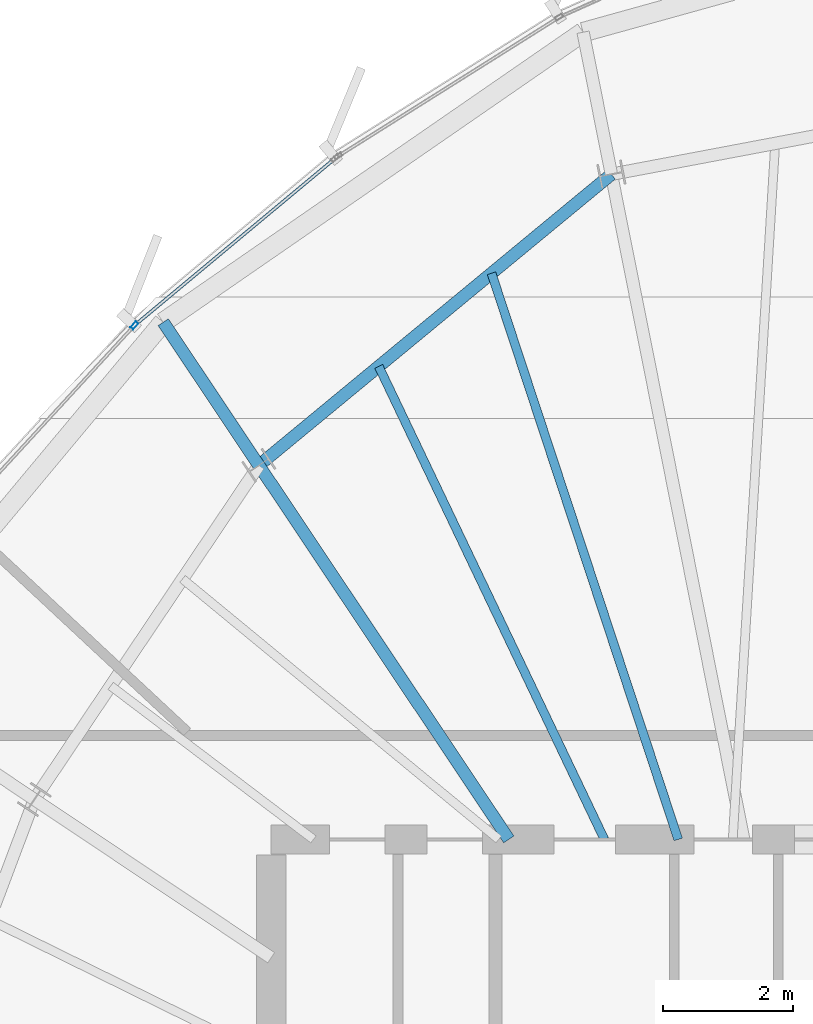
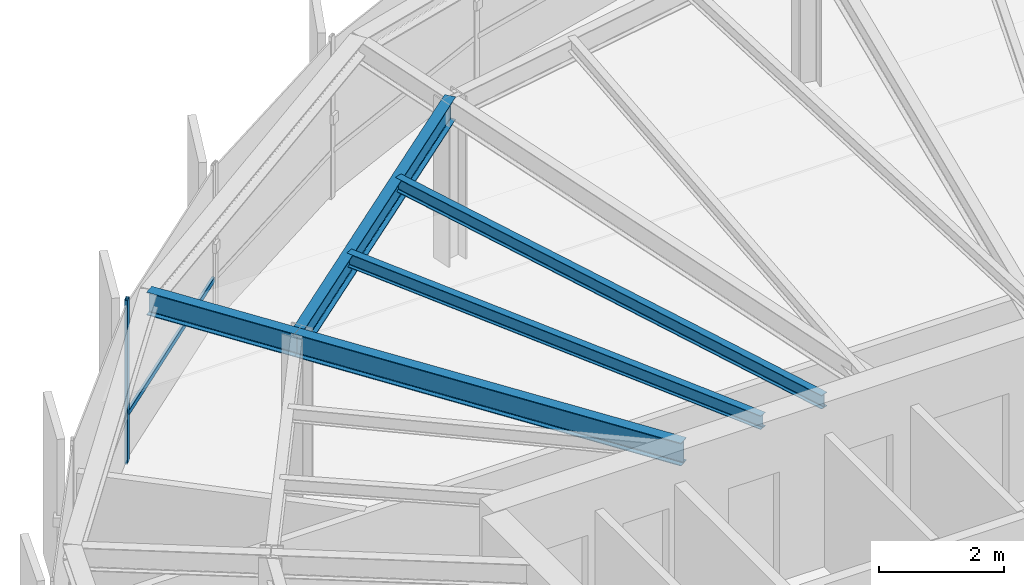
# One storey, part 18 of 32: 5 beams, 2 members, 1 element without a shape of its own.
"""IFC4 building model written with IfcOpenShell, lengths in metres."""

from ifc_helpers import new_model, si_unit, direction, frame, origin, origin_2d, place, context, subcontext, project, spatial, hollow_rectangle, i_section, extrude, source, transform, mapped, material, layer, layer_set, material_profile, profile_set, type_object, element, aggregate, save


model = new_model("IFC4")

# Units and contexts
model_context = context("Model", 3, precision=1e-05, world=origin(), true_north=direction((0.0, 1.0)))
body_context = subcontext(model_context, "Body", "Model", "MODEL_VIEW")
ifc_project = project(units=[si_unit("LENGTHUNIT", "METRE"), si_unit("AREAUNIT", "SQUARE_METRE"), si_unit("VOLUMEUNIT", "CUBIC_METRE"), si_unit("PLANEANGLEUNIT", "RADIAN"), si_unit("MASSUNIT", "GRAM", prefix="KILO"), si_unit("THERMODYNAMICTEMPERATUREUNIT", "KELVIN")], contexts=[model_context])

# Site, building, storey
site_placement = place(None, origin())
site = spatial("IfcSite", under=ifc_project, at=site_placement, CompositionType="ELEMENT")
building_placement = place(site_placement, origin())
building = spatial("IfcBuilding", under=site, at=building_placement, Name="Kethvar Cultural Tower", CompositionType="ELEMENT")
storey_placement = place(building_placement, frame((0.0, 0.0, 273.25)))
storey = spatial("IfcBuildingStorey", under=building, at=storey_placement, Name="L72", CompositionType="ELEMENT", Elevation=273.25)

# Beams
ifc_material_1 = material(Name="Steel S355J2", Category="steel")
ifc_material_profile_1 = material_profile(ifc_material_1, i_section(OverallWidth=0.18994140625, OverallDepth=0.449951171875, WebThickness=0.009521484375, FlangeThickness=0.0146484375, FilletRadius=0.02099609375, at=origin_2d()), Name="Steel S355J2 — IPE450")
ifc_profile_set_1 = profile_set([ifc_material_profile_1], Name="Steel S355J2 — IPE450")
beam_type_1 = type_object("IfcBeamType", Name="BM-IPE450", PredefinedType="BEAM", material=ifc_profile_set_1)
shared_shape_1 = source(origin(), body_context, "Body", "SweptSolid", [
    extrude(i_section(OverallWidth=0.18994140625, OverallDepth=0.449951171875, WebThickness=0.009521484375, FlangeThickness=0.0146484375, FilletRadius=0.02099609375, at=origin_2d()), origin(), (0.0, 0.0, 1.0), 6.921630859375),
])
beam_1_placement = place(storey_placement, frame((41.655029296875, 35.5, 2.98291015625), z_axis=(-0.555570841874, 0.831469205479, 0.0), x_axis=(-0.831469205479, -0.555570841874, 0.0)))
element("IfcBeam", 1, at=beam_1_placement, inside=storey, type_object=beam_type_1, Name="L72 Primary Radial Beam RB-06", PredefinedType="BEAM", context=body_context, shape_type="MappedRepresentation", body=[
    mapped(shared_shape_1, transform((0.0, 0.0, 0.0), scale=1.0)),
])
shared_shape_2 = source(origin(), body_context, "Body", "SweptSolid", [
    extrude(i_section(OverallWidth=0.18994140625, OverallDepth=0.449951171875, WebThickness=0.009521484375, FlangeThickness=0.0146484375, FilletRadius=0.02099609375, at=origin_2d()), origin(), (0.0, 0.0, 1.0), 7.03271484375),
])
beam_2_placement = place(storey_placement, frame((43.23291015625, 45.732421875, 2.98291015625), z_axis=(-0.771161072103, -0.636640087391, 0.0), x_axis=(0.636640087391, -0.771161072103, 0.0)))
element("IfcBeam", 2, at=beam_2_placement, inside=storey, type_object=beam_type_1, Name="L72 Column Ring Tie Beam CR-05", PredefinedType="BEAM", context=body_context, shape_type="MappedRepresentation", body=[
    mapped(shared_shape_2, transform((0.0, 0.0, 0.0), scale=1.0)),
])
ifc_material_profile_2 = material_profile(ifc_material_1, i_section(OverallWidth=0.135009765625, OverallDepth=0.27001953125, WebThickness=0.006591796875, FlangeThickness=0.01025390625, FilletRadius=0.014892578125, at=origin_2d()), Name="Steel S355J2 — IPE270")
ifc_profile_set_2 = profile_set([ifc_material_profile_2], Name="Steel S355J2 — IPE270")
beam_type_2 = type_object("IfcBeamType", Name="BM-J270", PredefinedType="JOIST", material=ifc_profile_set_2)
shared_shape_3 = source(origin(), body_context, "Body", "SweptSolid", [
    extrude(i_section(OverallWidth=0.135009765625, OverallDepth=0.27001953125, WebThickness=0.006591796875, FlangeThickness=0.01025390625, FilletRadius=0.014892578125, at=origin_2d()), origin(), (0.0, 0.0, 1.0), 9.17138671875),
])
beam_3_placement = place(storey_placement, frame((44.260986328125, 35.5, 3.072998046875), z_axis=(-0.313151555446, 0.949703165901, 0.0), x_axis=(-0.949703165901, -0.313151555446, 0.0)))
element("IfcBeam", 3, at=beam_3_placement, inside=storey, type_object=beam_type_2, Name="L72 Composite Floor Joist J-05A", PredefinedType="JOIST", context=body_context, shape_type="MappedRepresentation", body=[
    mapped(shared_shape_3, transform((0.0, 0.0, 0.0), scale=1.0)),
])
shared_shape_4 = source(origin(), body_context, "Body", "SweptSolid", [
    extrude(i_section(OverallWidth=0.135009765625, OverallDepth=0.27001953125, WebThickness=0.006591796875, FlangeThickness=0.01025390625, FilletRadius=0.014892578125, at=origin_2d()), origin(), (0.0, 0.0, 1.0), 8.063232421875),
])
beam_4_placement = place(storey_placement, frame((43.1259765625, 35.5, 3.072998046875), z_axis=(-0.430642151588, 0.902522762746, 0.0), x_axis=(-0.902522762746, -0.430642151588, 0.0)))
element("IfcBeam", 4, at=beam_4_placement, inside=storey, type_object=beam_type_2, Name="L72 Composite Floor Joist J-05B", PredefinedType="JOIST", context=body_context, shape_type="MappedRepresentation", body=[
    mapped(shared_shape_4, transform((0.0, 0.0, 0.0), scale=1.0)),
])
shared_shape_5 = source(origin(), body_context, "Body", "SweptSolid", [
    extrude(i_section(OverallWidth=0.18994140625, OverallDepth=0.449951171875, WebThickness=0.009521484375, FlangeThickness=0.0146484375, FilletRadius=0.02099609375, at=origin_2d()), origin(), (0.0, 0.0, 1.0), 2.64892578125),
])
beam_5_placement = place(storey_placement, frame((37.8095703125, 41.255126953125, 2.98291015625), z_axis=(-0.555550629521, 0.831482710607, 0.0), x_axis=(-0.831482710607, -0.555550629521, 0.0)))
element("IfcBeam", 5, at=beam_5_placement, inside=storey, type_object=beam_type_1, Name="L72 Perimeter Cantilever Beam RC-06", PredefinedType="BEAM", context=body_context, shape_type="MappedRepresentation", body=[
    mapped(shared_shape_5, transform((0.0, 0.0, 0.0), scale=1.0)),
])

# Curtain wall, members
ifc_material_2 = material(Name="Aluminium 6063-T6", Category="aluminium")
ifc_layer = layer(ifc_material_2, 0.179931640625, Name="Aluminium 6063-T6", Category="aluminium")
ifc_layer_set = layer_set([ifc_layer], Name="Aluminium 6063-T6 (180 mm)")
curtain_wall_type = type_object("IfcCurtainWallType", Name="CW-SYS-05-Z56", PredefinedType="NOTDEFINED", material=ifc_layer_set)
curtain_wall_placement = place(storey_placement, origin())
curtain_wall = element("IfcCurtainWall", 6, at=curtain_wall_placement, inside=storey, type_object=curtain_wall_type, Name="L72 Curtain Wall Run 02", PredefinedType="NOTDEFINED")
ifc_material_profile_3 = material_profile(ifc_material_2, hollow_rectangle(XDim=0.054931640625, YDim=0.1201171875, WallThickness=0.00390625, at=origin_2d()), Name="Aluminium 6063-T6 — RHS120x55x4")
ifc_profile_set_3 = profile_set([ifc_material_profile_3], Name="Aluminium 6063-T6 — RHS120x55x4")
member_type_1 = type_object("IfcMemberType", Name="CW-SYS-05-Z56-MUL", PredefinedType="MULLION", material=ifc_profile_set_3)
shared_shape_6 = source(origin(), body_context, "Body", "SweptSolid", [
    extrude(hollow_rectangle(XDim=0.054931640625, YDim=0.1201171875, WallThickness=0.00390625, at=origin_2d()), origin(), (0.0, 0.0, 1.0), 3.2099609375),
])
member_1_placement = place(storey_placement, frame((35.89404296875, 43.406982421875, 0.0), z_axis=(0.0, 0.0, 1.0), x_axis=(0.736345125672, -0.676606130551, 0.0)))
member_1 = element("IfcMember", 7, at=member_1_placement, type_object=member_type_1, Name="CW-L72-R02 Mullion 2", PredefinedType="MULLION", context=body_context, shape_type="MappedRepresentation", body=[
    mapped(shared_shape_6, transform((0.0, 0.0, 0.0), scale=1.0)),
])
ifc_material_profile_4 = material_profile(ifc_material_2, hollow_rectangle(XDim=0.050048828125, YDim=0.10009765625, WallThickness=0.00390625, at=origin_2d()), Name="Aluminium 6063-T6 — RHS100x50x4")
ifc_profile_set_4 = profile_set([ifc_material_profile_4], Name="Aluminium 6063-T6 — RHS100x50x4")
member_type_2 = type_object("IfcMemberType", Name="CW-SYS-05-Z56-TRN", PredefinedType="USERDEFINED", material=ifc_profile_set_4)
shared_shape_7 = source(origin(), body_context, "Body", "SweptSolid", [
    extrude(hollow_rectangle(XDim=0.050048828125, YDim=0.10009765625, WallThickness=0.00390625, at=origin_2d()), origin(), (0.0, 0.0, 1.0), 3.99169921875),
])
member_2_placement = place(storey_placement, frame((38.982177734375, 45.977294921875, 0.949951171875), z_axis=(-0.768461869746, -0.639895581127, 0.0), x_axis=(0.639895581127, -0.768461869746, 0.0)))
member_2 = element("IfcMember", 8, at=member_2_placement, type_object=member_type_2, Name="CW-L72-R02 Transom 1", ObjectType="TRANSOM", PredefinedType="USERDEFINED", context=body_context, shape_type="MappedRepresentation", body=[
    mapped(shared_shape_7, transform((0.0, 0.0, 0.0), scale=1.0)),
])
aggregate(curtain_wall, [member_1, member_2])

save(model, "model.ifc")
